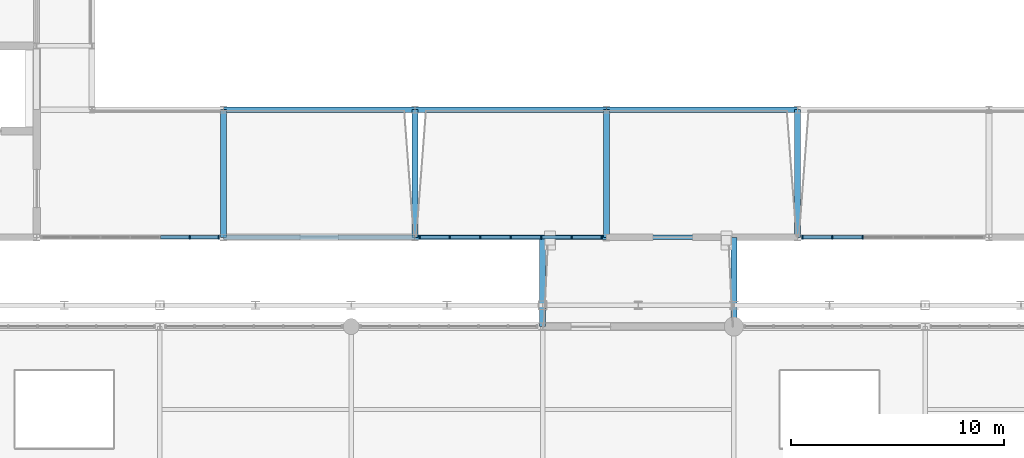
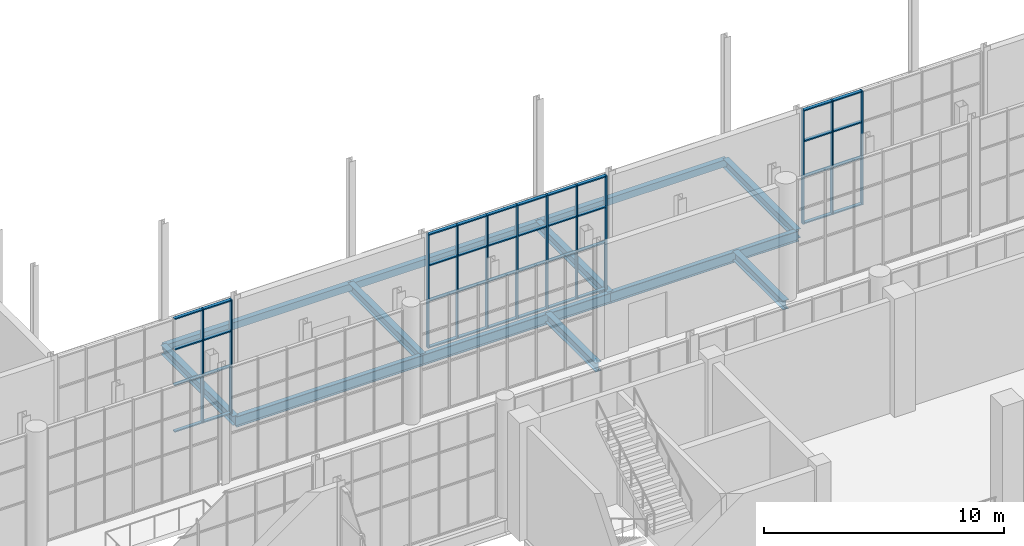
# One storey, part 60 of 159: 52 members, 12 beams, 3 elements without a shape of their own.
"""IFC4 building model written with IfcOpenShell, lengths in metres."""

import ifcopenshell
import ifcopenshell.guid

model = None  # the IFC model being written
_history = None  # IfcOwnerHistory: only IFC2X3 demands one
_inside = {}  # id of a spatial element -> (the spatial element, [elements in it])
_under = {}  # id of a project, library or spatial element -> (it, [spatial elements below it])
_declared = {}  # id of a project -> (the project, [libraries it declares])
_typed = {}  # id of a type object -> (the type object, [elements of that type])
_made_of = {}  # id of a material, layer set ... -> (it, [elements and type objects made of it])


def new_model(schema):
    """Start an empty IFC model of exactly this schema.

    Asked for "IFC4X3", IfcOpenShell would pick the latest addendum, in which some entities
    have other attributes; the version numbers below select the first issue.
    IFC2X3 requires an IfcOwnerHistory on every rooted entity: one is made here for all.
    """
    global model, _history
    if schema == "IFC4X3":
        model = ifcopenshell.file(schema_version=(4, 3, 0, 0))
    else:
        model = ifcopenshell.file(schema=schema)
    _inside.clear()
    _under.clear()
    _declared.clear()
    _typed.clear()
    _made_of.clear()
    _history = None
    if model.schema == "IFC2X3":
        org = make("IfcOrganization", Name="unknown")
        user = make(
            "IfcPersonAndOrganization",
            ThePerson=make("IfcPerson", FamilyName="unknown"),
            TheOrganization=org,
        )
        app = make(
            "IfcApplication",
            ApplicationDeveloper=org,
            Version="unknown",
            ApplicationFullName="unknown",
            ApplicationIdentifier="unknown",
        )
        _history = make(
            "IfcOwnerHistory",
            OwningUser=user,
            OwningApplication=app,
            ChangeAction="ADDED",
            CreationDate=0,
        )
    return model


def make(cls, **values):
    """One entity of the class cls with the attributes given. An attribute that is None is left unset."""
    return model.create_entity(
        cls, **{name: value for name, value in values.items() if value is not None}
    )


def rooted(cls, **values):
    """An entity with a GlobalId (a new one), such as an element, a storey or a relation."""
    return make(cls, GlobalId=ifcopenshell.guid.new(), OwnerHistory=_history, **values)


def si_unit(unit_type, name, prefix=None):
    """IfcSIUnit, for example si_unit("LENGTHUNIT", "METRE", prefix="MILLI")."""
    return make("IfcSIUnit", UnitType=unit_type, Prefix=prefix, Name=name)


def assignment(units):
    """IfcUnitAssignment: the units of a project."""
    return None if units is None else make("IfcUnitAssignment", Units=units)


def point(xyz):
    """IfcCartesianPoint."""
    return None if xyz is None else make("IfcCartesianPoint", Coordinates=xyz)


def direction(xyz):
    """IfcDirection."""
    return None if xyz is None else make("IfcDirection", DirectionRatios=xyz)


def frame(location, z_axis=None, x_axis=None):
    """IfcAxis2Placement3D, a coordinate frame: its origin and axes. An axis left out is left unset."""
    return make(
        "IfcAxis2Placement3D",
        Location=point(location),
        Axis=direction(z_axis),
        RefDirection=direction(x_axis),
    )


def frame_2d(location, x_axis=None):
    """IfcAxis2Placement2D, a coordinate frame in the plane: its origin and x axis."""
    return make(
        "IfcAxis2Placement2D", Location=point(location), RefDirection=direction(x_axis)
    )


def origin():
    """The frame at (0, 0, 0) with its axes left unset."""
    return frame((0.0, 0.0, 0.0))


def origin_2d():
    """The frame at (0, 0) in the plane with its x axis left unset."""
    return frame_2d((0.0, 0.0))


def place(relative_to, where):
    """IfcLocalPlacement: puts the frame where relative to a parent placement (None: the world)."""
    return make(
        "IfcLocalPlacement", PlacementRelTo=relative_to, RelativePlacement=where
    )


def context(
    kind, dimensions, precision=None, world=None, true_north=None, identifier=None
):
    """IfcGeometricRepresentationContext, for example the 3D "Model" context."""
    return make(
        "IfcGeometricRepresentationContext",
        ContextIdentifier=identifier,
        ContextType=kind,
        CoordinateSpaceDimension=dimensions,
        Precision=precision,
        WorldCoordinateSystem=world,
        TrueNorth=true_north,
    )


def subcontext(parent, identifier, kind, view, scale=None):
    """IfcGeometricRepresentationSubContext, for example "Body" below "Model"."""
    return make(
        "IfcGeometricRepresentationSubContext",
        ContextIdentifier=identifier,
        ContextType=kind,
        ParentContext=parent,
        TargetScale=scale,
        TargetView=view,
    )


def project(units=None, contexts=None):
    """IfcProject with its units and contexts."""
    return rooted(
        "IfcProject",
        Name="project",
        RepresentationContexts=contexts,
        UnitsInContext=assignment(units),
    )


def spatial(cls, under=None, at=None, **own):
    """A site, building, storey or space (cls), placed at a placement, below another one or the project."""
    s = rooted(cls, ObjectPlacement=at, **own)
    if under is not None:
        _under.setdefault(under.id(), (under, []))[1].append(s)
    return s


def profile(cls, at=None, kind="AREA", **sizes):
    """A parametric profile (cls). Its sizes go by their IFC names, for example OverallWidth=200.0."""
    return make(cls, ProfileType=kind, Position=at, **sizes)


def rectangle(**sizes):
    """IfcRectangleProfileDef."""
    return profile("IfcRectangleProfileDef", **sizes)


def hollow_rectangle(**sizes):
    """IfcRectangleHollowProfileDef."""
    return profile("IfcRectangleHollowProfileDef", **sizes)


def i_section(**sizes):
    """IfcIShapeProfileDef."""
    return profile("IfcIShapeProfileDef", **sizes)


def extrude(swept, where, along, depth):
    """IfcExtrudedAreaSolid: the profile swept, set in the frame where, extruded along a direction by depth."""
    return make(
        "IfcExtrudedAreaSolid",
        SweptArea=swept,
        Position=where,
        ExtrudedDirection=direction(along),
        Depth=depth,
    )


def shape(context_of_items, identifier, shape_type, items):
    """IfcShapeRepresentation: the items that make up one representation, for example the "Body"."""
    return make(
        "IfcShapeRepresentation",
        ContextOfItems=context_of_items,
        RepresentationIdentifier=identifier,
        RepresentationType=shape_type,
        Items=items,
    )


def material(Name=None, Category=None):
    """IfcMaterial."""
    return make("IfcMaterial", Name=Name, Category=Category)


def layer(
    of_material, thickness, ventilated=None, Name=None, Category=None, Priority=None
):
    """IfcMaterialLayer: one layer of a wall or slab, of a material (None: an air gap)."""
    return make(
        "IfcMaterialLayer",
        Material=of_material,
        LayerThickness=thickness,
        IsVentilated=ventilated,
        Name=Name,
        Category=Category,
        Priority=Priority,
    )


def layer_set(layers, Name=None):
    """IfcMaterialLayerSet."""
    return make("IfcMaterialLayerSet", MaterialLayers=layers, LayerSetName=Name)


def material_profile(
    of_material, cross_section, Name=None, Category=None, Priority=None
):
    """IfcMaterialProfile: a cross section and its material."""
    return make(
        "IfcMaterialProfile",
        Name=Name,
        Material=of_material,
        Profile=cross_section,
        Priority=Priority,
        Category=Category,
    )


def profile_set(profiles, Name=None, composite=None):
    """IfcMaterialProfileSet."""
    return make(
        "IfcMaterialProfileSet",
        Name=Name,
        MaterialProfiles=profiles,
        CompositeProfile=composite,
    )


def made_of(thing, what):
    """Note that an element or type object is made of a material, layer set ...; save() writes the relation."""
    if what is not None:
        _made_of.setdefault(what.id(), (what, []))[1].append(thing)
    return thing


def type_object(cls, material=None, **own):
    """A type object (cls), such as IfcWallType, which elements share."""
    return made_of(rooted(cls, **own), material)


def element(
    cls,
    number,
    at=None,
    inside=None,
    cuts=None,
    type_object=None,
    material=None,
    context=None,
    identifier="Body",
    shape_type=None,
    held_by="IfcProductDefinitionShape",
    body=None,
    shapes=None,
    **own,
):
    """One element of the class cls, such as IfcWall. Its Tag is "e" and its number.

    at: its placement. inside: the storey or other place that contains it. cuts: it is an
    opening in that element (IfcRelVoidsElement). A single representation is given by context,
    identifier, shape_type and body (its items); several are given by shapes. held_by: the class
    of the entity that holds the representations. save() writes the other relations.
    """
    e = rooted(cls, Tag="e%d" % number, ObjectPlacement=at, **own)
    if body is not None:
        shapes = [shape(context, identifier, shape_type, body)]
    if shapes is not None:
        e.Representation = make(held_by, Representations=shapes)
    if inside is not None:
        _inside.setdefault(inside.id(), (inside, []))[1].append(e)
    if cuts is not None:
        rooted(
            "IfcRelVoidsElement", RelatingBuildingElement=cuts, RelatedOpeningElement=e
        )
    if type_object is not None:
        _typed.setdefault(type_object.id(), (type_object, []))[1].append(e)
    return made_of(e, material)


def aggregate(whole, parts):
    """IfcRelAggregates: a whole, such as a stair, and the parts it consists of."""
    return rooted("IfcRelAggregates", RelatingObject=whole, RelatedObjects=parts)


def save(model, path):
    """Write the relations noted so far, then the file.

    IfcRelAggregates (storeys below a building ...), IfcRelContainedInSpatialStructure (elements
    in a storey), IfcRelDefinesByType, IfcRelAssociatesMaterial and IfcRelDeclares: one each for
    every whole, place, type object, material and project.
    """
    for whole, parts in _under.values():
        aggregate(whole, parts)
    for where, things in _inside.values():
        rooted(
            "IfcRelContainedInSpatialStructure",
            RelatedElements=things,
            RelatingStructure=where,
        )
    for kind, things in _typed.values():
        rooted("IfcRelDefinesByType", RelatedObjects=things, RelatingType=kind)
    for what, things in _made_of.values():
        rooted("IfcRelAssociatesMaterial", RelatedObjects=things, RelatingMaterial=what)
    for by, libraries in _declared.values():
        rooted("IfcRelDeclares", RelatingContext=by, RelatedDefinitions=libraries)
    model.write(path)


model = new_model("IFC4")

# Units and contexts
model_context = context("Model", 3, precision=1e-05, world=origin(), true_north=direction((0.0, 1.0)))
body_context = subcontext(model_context, "Body", "Model", "MODEL_VIEW")
ifc_project = project(units=[si_unit("LENGTHUNIT", "METRE"), si_unit("AREAUNIT", "SQUARE_METRE"), si_unit("VOLUMEUNIT", "CUBIC_METRE"), si_unit("PLANEANGLEUNIT", "RADIAN"), si_unit("MASSUNIT", "GRAM", prefix="KILO")], contexts=[model_context])

# Site, building, storey
site_placement = place(None, origin())
site = spatial("IfcSite", under=ifc_project, at=site_placement, CompositionType="ELEMENT")
building_placement = place(site_placement, origin())
building = spatial("IfcBuilding", under=site, at=building_placement, Name="Cazmaro Siding Exhibition Halls", CompositionType="ELEMENT")
storey_placement = place(building_placement, frame((0.0, 0.0, 6.0)))
storey = spatial("IfcBuildingStorey", under=building, at=storey_placement, Name="L01", CompositionType="ELEMENT", Elevation=6.0)

# Beams
ifc_material_1 = material(Name="Steel ASTM A992 Grade 50", Category="steel")
ifc_material_profile_1 = material_profile(ifc_material_1, i_section(OverallWidth=0.2099609375, OverallDepth=0.535888671875, WebThickness=0.010986328125, FlangeThickness=0.01708984375, at=origin_2d()), Name="W21X68")
ifc_profile_set_1 = profile_set([ifc_material_profile_1], Name="Steel ASTM A992 Grade 50")
beam_type_1 = type_object("IfcBeamType", Name="B-02", PredefinedType="BEAM", material=ifc_profile_set_1)
for number, where, z_axis, x_axis, name in (
    (1, (66.0, 67.199951171875, -0.488037109375), (1.0, 0.0, 0.0), (0.0, 1.0, 0.0), "Beam B-02 BM-0316"),
    (2, (75.0, 67.199951171875, -0.488037109375), (1.0, 0.0, 0.0), (0.0, 1.0, 0.0), "Beam B-02 BM-0318"),
    (3, (84.0, 67.199951171875, -0.488037109375), (1.0, 0.0, 0.0), (0.0, 1.0, 0.0), "Beam B-02 BM-0320"),
):
    element("IfcBeam", number, at=place(storey_placement, frame(where, z_axis=z_axis, x_axis=x_axis)), inside=storey, type_object=beam_type_1, Name=name, PredefinedType="BEAM", context=body_context, shape_type="SweptSolid", body=[
        extrude(i_section(OverallWidth=0.2099609375, OverallDepth=0.535888671875, WebThickness=0.010986328125, FlangeThickness=0.01708984375, at=origin_2d()), origin(), (0.0, 0.0, 1.0), 9.0),
    ])
ifc_material_2 = material(Name="Steel ASTM A992 Grade 50", Category="steel")
ifc_material_profile_2 = material_profile(ifc_material_2, i_section(OverallWidth=0.279052734375, OverallDepth=0.4619140625, WebThickness=0.010986328125, FlangeThickness=0.01708984375, at=origin_2d()), Name="W18X76")
ifc_profile_set_2 = profile_set([ifc_material_profile_2], Name="Steel ASTM A992 Grade 50")
beam_type_2 = type_object("IfcBeamType", Name="B-03", PredefinedType="BEAM", material=ifc_profile_set_2)
for number, where, z_axis, x_axis, name in (
    (4, (66.0, 67.199951171875, -0.450927734375), (0.0, 1.0, 0.0), (-1.0, 0.0, 0.0), "Beam B-03 BM-0337"),
    (5, (75.0, 67.199951171875, -0.450927734375), (0.0, 1.0, 0.0), (-1.0, 0.0, 0.0), "Beam B-03 BM-0338"),
    (6, (84.0, 67.199951171875, -0.450927734375), (0.0, 1.0, 0.0), (-1.0, 0.0, 0.0), "Beam B-03 BM-0339"),
    (7, (93.0, 67.199951171875, -0.450927734375), (0.0, 1.0, 0.0), (-1.0, 0.0, 0.0), "Beam B-03 BM-0340"),
):
    element("IfcBeam", number, at=place(storey_placement, frame(where, z_axis=z_axis, x_axis=x_axis)), inside=storey, type_object=beam_type_2, Name=name, PredefinedType="BEAM", context=body_context, shape_type="SweptSolid", body=[
        extrude(i_section(OverallWidth=0.279052734375, OverallDepth=0.4619140625, WebThickness=0.010986328125, FlangeThickness=0.01708984375, at=origin_2d()), origin(), (0.0, 0.0, 1.0), 6.0),
    ])
for number, where, z_axis, x_axis, name in (
    (8, (81.0, 63.0, -0.450927734375), (0.0, 1.0, 0.0), (-1.0, 0.0, 0.0), "Beam B-03 BM-2518"),
    (9, (90.0, 63.0, -0.450927734375), (0.0, 1.0, 0.0), (-1.0, 0.0, 0.0), "Beam B-03 BM-2519"),
):
    element("IfcBeam", number, at=place(storey_placement, frame(where, z_axis=z_axis, x_axis=x_axis)), inside=storey, type_object=beam_type_2, Name=name, PredefinedType="BEAM", context=body_context, shape_type="SweptSolid", body=[
        extrude(i_section(OverallWidth=0.279052734375, OverallDepth=0.4619140625, WebThickness=0.010986328125, FlangeThickness=0.01708984375, at=origin_2d()), origin(), (0.0, 0.0, 1.0), 4.199951171875),
    ])
ifc_material_3 = material(Name="Steel ASTM A500 Grade C", Category="steel")
ifc_material_profile_3 = material_profile(ifc_material_3, hollow_rectangle(XDim=0.25390625, YDim=0.35595703125, WallThickness=0.014892578125, at=origin_2d()), Name="HSS14X10X5/8")
ifc_profile_set_3 = profile_set([ifc_material_profile_3], Name="Steel ASTM A500 Grade C")
beam_type_3 = type_object("IfcBeamType", Name="B-06", PredefinedType="BEAM", material=ifc_profile_set_3)
for number, where, z_axis, x_axis, name in (
    (10, (66.0, 73.199951171875, -0.39794921875), (1.0, 0.0, 0.0), (0.0, 1.0, 0.0), "Beam B-06 BM-0317"),
    (11, (75.0, 73.199951171875, -0.39794921875), (1.0, 0.0, 0.0), (0.0, 1.0, 0.0), "Beam B-06 BM-0319"),
    (12, (84.0, 73.199951171875, -0.39794921875), (1.0, 0.0, 0.0), (0.0, 1.0, 0.0), "Beam B-06 BM-0321"),
):
    element("IfcBeam", number, at=place(storey_placement, frame(where, z_axis=z_axis, x_axis=x_axis)), inside=storey, type_object=beam_type_3, Name=name, PredefinedType="BEAM", context=body_context, shape_type="SweptSolid", body=[
        extrude(hollow_rectangle(XDim=0.25390625, YDim=0.35595703125, WallThickness=0.014892578125, at=origin_2d()), origin(), (0.0, 0.0, 1.0), 9.0),
    ])

# Curtain wall, members
ifc_material_4 = material(Name="Anodized Bronze Aluminum and Solar-Control Low-E Glazing", Category="aluminium")
ifc_layer = layer(ifc_material_4, 0.179931640625)
ifc_layer_set = layer_set([ifc_layer], Name="Anodized Bronze Aluminum and Solar-Control Low-E Glazing")
curtain_wall_type = type_object("IfcCurtainWallType", Name="CWS-01", PredefinedType="USERDEFINED", material=ifc_layer_set)
curtain_wall_1_placement = place(storey_placement, origin())
curtain_wall_1 = element("IfcCurtainWall", 13, at=curtain_wall_1_placement, inside=storey, type_object=curtain_wall_type, Name="Glazed Curtain Wall CWS-01 CW-004", ObjectType="GLAZED CURTAIN WALL", PredefinedType="USERDEFINED")
ifc_material_5 = material(Name="Anodized Bronze Extruded Aluminum", Category="aluminium")
ifc_material_profile_4 = material_profile(ifc_material_5, rectangle(XDim=0.179931640625, YDim=0.06005859375, at=origin_2d()), Name="CWM-01")
ifc_profile_set_4 = profile_set([ifc_material_profile_4], Name="Anodized Bronze Extruded Aluminum")
member_type_1 = type_object("IfcMemberType", Name="CWM-01", PredefinedType="MULLION", material=ifc_profile_set_4)
member_1_placement = place(storey_placement, frame((64.402099609375, 67.199951171875, 0.0), z_axis=(0.0, 0.0, 1.0), x_axis=(0.0, 1.0, 0.0)))
member_1 = element("IfcMember", 14, at=member_1_placement, type_object=member_type_1, Name="CWS-01 mullion 6", PredefinedType="MULLION", context=body_context, shape_type="SweptSolid", body=[
    extrude(rectangle(XDim=0.179931640625, YDim=0.06005859375, at=origin_2d()), origin(), (0.0, 0.0, 1.0), 5.780029296875),
])
member_2_placement = place(storey_placement, frame((65.77294921875, 67.199951171875, 0.0), z_axis=(0.0, 0.0, 1.0), x_axis=(0.0, 1.0, 0.0)))
member_2 = element("IfcMember", 15, at=member_2_placement, type_object=member_type_1, Name="CWS-01 mullion 7", PredefinedType="MULLION", context=body_context, shape_type="SweptSolid", body=[
    extrude(rectangle(XDim=0.179931640625, YDim=0.06005859375, at=origin_2d()), origin(), (0.0, 0.0, 1.0), 5.780029296875),
])

curtain_wall_2_placement = place(storey_placement, origin())
curtain_wall_2 = element("IfcCurtainWall", 16, at=curtain_wall_2_placement, inside=storey, type_object=curtain_wall_type, Name="Glazed Curtain Wall CWS-01 CW-012", ObjectType="GLAZED CURTAIN WALL", PredefinedType="USERDEFINED")
member_3_placement = place(storey_placement, frame((75.22705078125, 67.199951171875, 0.0), z_axis=(0.0, 0.0, 1.0), x_axis=(0.0, 1.0, 0.0)))
member_3 = element("IfcMember", 17, at=member_3_placement, type_object=member_type_1, Name="CWS-01 mullion 1", PredefinedType="MULLION", context=body_context, shape_type="SweptSolid", body=[
    extrude(rectangle(XDim=0.179931640625, YDim=0.06005859375, at=origin_2d()), origin(), (0.0, 0.0, 1.0), 5.780029296875),
])
member_4_placement = place(storey_placement, frame((76.63134765625, 67.199951171875, 0.0), z_axis=(0.0, 0.0, 1.0), x_axis=(0.0, 1.0, 0.0)))
member_4 = element("IfcMember", 18, at=member_4_placement, type_object=member_type_1, Name="CWS-01 mullion 2", PredefinedType="MULLION", context=body_context, shape_type="SweptSolid", body=[
    extrude(rectangle(XDim=0.179931640625, YDim=0.06005859375, at=origin_2d()), origin(), (0.0, 0.0, 1.0), 5.780029296875),
])
member_5_placement = place(storey_placement, frame((78.065673828125, 67.199951171875, 0.0), z_axis=(0.0, 0.0, 1.0), x_axis=(0.0, 1.0, 0.0)))
member_5 = element("IfcMember", 19, at=member_5_placement, type_object=member_type_1, Name="CWS-01 mullion 3", PredefinedType="MULLION", context=body_context, shape_type="SweptSolid", body=[
    extrude(rectangle(XDim=0.179931640625, YDim=0.06005859375, at=origin_2d()), origin(), (0.0, 0.0, 1.0), 5.780029296875),
])
member_6_placement = place(storey_placement, frame((79.5, 67.199951171875, 0.0), z_axis=(0.0, 0.0, 1.0), x_axis=(0.0, 1.0, 0.0)))
member_6 = element("IfcMember", 20, at=member_6_placement, type_object=member_type_1, Name="CWS-01 mullion 4", PredefinedType="MULLION", context=body_context, shape_type="SweptSolid", body=[
    extrude(rectangle(XDim=0.179931640625, YDim=0.06005859375, at=origin_2d()), origin(), (0.0, 0.0, 1.0), 5.780029296875),
])
member_7_placement = place(storey_placement, frame((80.934326171875, 67.199951171875, 0.0), z_axis=(0.0, 0.0, 1.0), x_axis=(0.0, 1.0, 0.0)))
member_7 = element("IfcMember", 21, at=member_7_placement, type_object=member_type_1, Name="CWS-01 mullion 5", PredefinedType="MULLION", context=body_context, shape_type="SweptSolid", body=[
    extrude(rectangle(XDim=0.179931640625, YDim=0.06005859375, at=origin_2d()), origin(), (0.0, 0.0, 1.0), 5.780029296875),
])
member_8_placement = place(storey_placement, frame((82.36865234375, 67.199951171875, 0.0), z_axis=(0.0, 0.0, 1.0), x_axis=(0.0, 1.0, 0.0)))
member_8 = element("IfcMember", 22, at=member_8_placement, type_object=member_type_1, Name="CWS-01 mullion 6", PredefinedType="MULLION", context=body_context, shape_type="SweptSolid", body=[
    extrude(rectangle(XDim=0.179931640625, YDim=0.06005859375, at=origin_2d()), origin(), (0.0, 0.0, 1.0), 5.780029296875),
])
member_9_placement = place(storey_placement, frame((83.77294921875, 67.199951171875, 0.0), z_axis=(0.0, 0.0, 1.0), x_axis=(0.0, 1.0, 0.0)))
member_9 = element("IfcMember", 23, at=member_9_placement, type_object=member_type_1, Name="CWS-01 mullion 7", PredefinedType="MULLION", context=body_context, shape_type="SweptSolid", body=[
    extrude(rectangle(XDim=0.179931640625, YDim=0.06005859375, at=origin_2d()), origin(), (0.0, 0.0, 1.0), 5.780029296875),
])

curtain_wall_3_placement = place(storey_placement, origin())
curtain_wall_3 = element("IfcCurtainWall", 24, at=curtain_wall_3_placement, inside=storey, type_object=curtain_wall_type, Name="Glazed Curtain Wall CWS-01 CW-020", ObjectType="GLAZED CURTAIN WALL", PredefinedType="USERDEFINED")
member_10_placement = place(storey_placement, frame((93.22705078125, 67.199951171875, 0.0), z_axis=(0.0, 0.0, 1.0), x_axis=(0.0, 1.0, 0.0)))
member_10 = element("IfcMember", 25, at=member_10_placement, type_object=member_type_1, Name="CWS-01 mullion 1", PredefinedType="MULLION", context=body_context, shape_type="SweptSolid", body=[
    extrude(rectangle(XDim=0.179931640625, YDim=0.06005859375, at=origin_2d()), origin(), (0.0, 0.0, 1.0), 5.780029296875),
])
member_11_placement = place(storey_placement, frame((94.63134765625, 67.199951171875, 0.0), z_axis=(0.0, 0.0, 1.0), x_axis=(0.0, 1.0, 0.0)))
member_11 = element("IfcMember", 26, at=member_11_placement, type_object=member_type_1, Name="CWS-01 mullion 2", PredefinedType="MULLION", context=body_context, shape_type="SweptSolid", body=[
    extrude(rectangle(XDim=0.179931640625, YDim=0.06005859375, at=origin_2d()), origin(), (0.0, 0.0, 1.0), 5.780029296875),
])
member_12_placement = place(storey_placement, frame((96.065673828125, 67.199951171875, 0.0), z_axis=(0.0, 0.0, 1.0), x_axis=(0.0, 1.0, 0.0)))
member_12 = element("IfcMember", 27, at=member_12_placement, type_object=member_type_1, Name="CWS-01 mullion 3", PredefinedType="MULLION", context=body_context, shape_type="SweptSolid", body=[
    extrude(rectangle(XDim=0.179931640625, YDim=0.06005859375, at=origin_2d()), origin(), (0.0, 0.0, 1.0), 5.780029296875),
])

# Member
ifc_material_6 = material(Name="Anodized Bronze Extruded Aluminum", Category="aluminium")
ifc_material_profile_5 = material_profile(ifc_material_6, rectangle(XDim=0.159912109375, YDim=0.06005859375, at=origin_2d()), Name="CWT-01")
ifc_profile_set_5 = profile_set([ifc_material_profile_5], Name="Anodized Bronze Extruded Aluminum")
member_type_2 = type_object("IfcMemberType", Name="CWT-01", PredefinedType="MULLION", material=ifc_profile_set_5)
member_13_placement = place(storey_placement, frame((63.031005859375, 67.199951171875, 0.030029296875), z_axis=(1.0, 0.0, 0.0), x_axis=(0.0, 1.0, 0.0)))
member_13 = element("IfcMember", 28, at=member_13_placement, type_object=member_type_2, Name="CWS-01 transom 5.1", ObjectType="TRANSOM", PredefinedType="USERDEFINED", context=body_context, shape_type="SweptSolid", body=[
    extrude(rectangle(XDim=0.159912109375, YDim=0.06005859375, at=origin_2d()), origin(), (0.0, 0.0, 1.0), 1.341064453125),
])

member_14_placement = place(storey_placement, frame((63.031005859375, 67.199951171875, 2.39990234375), z_axis=(1.0, 0.0, 0.0), x_axis=(0.0, 1.0, 0.0)))
member_14 = element("IfcMember", 29, at=member_14_placement, type_object=member_type_2, Name="CWS-01 transom 5.2", ObjectType="TRANSOM", PredefinedType="USERDEFINED", context=body_context, shape_type="SweptSolid", body=[
    extrude(rectangle(XDim=0.159912109375, YDim=0.06005859375, at=origin_2d()), origin(), (0.0, 0.0, 1.0), 1.341064453125),
])

member_15_placement = place(storey_placement, frame((63.031005859375, 67.199951171875, 4.199951171875), z_axis=(1.0, 0.0, 0.0), x_axis=(0.0, 1.0, 0.0)))
member_15 = element("IfcMember", 30, at=member_15_placement, type_object=member_type_2, Name="CWS-01 transom 5.3", ObjectType="TRANSOM", PredefinedType="USERDEFINED", context=body_context, shape_type="SweptSolid", body=[
    extrude(rectangle(XDim=0.159912109375, YDim=0.06005859375, at=origin_2d()), origin(), (0.0, 0.0, 1.0), 1.341064453125),
])

member_16_placement = place(storey_placement, frame((63.031005859375, 67.199951171875, 5.75), z_axis=(1.0, 0.0, 0.0), x_axis=(0.0, 1.0, 0.0)))
member_16 = element("IfcMember", 31, at=member_16_placement, type_object=member_type_2, Name="CWS-01 transom 5.4", ObjectType="TRANSOM", PredefinedType="USERDEFINED", context=body_context, shape_type="SweptSolid", body=[
    extrude(rectangle(XDim=0.159912109375, YDim=0.06005859375, at=origin_2d()), origin(), (0.0, 0.0, 1.0), 1.341064453125),
])

member_17_placement = place(storey_placement, frame((64.431884765625, 67.199951171875, 0.030029296875), z_axis=(1.0, 0.0, 0.0), x_axis=(0.0, 1.0, 0.0)))
member_17 = element("IfcMember", 32, at=member_17_placement, type_object=member_type_2, Name="CWS-01 transom 6.1", ObjectType="TRANSOM", PredefinedType="USERDEFINED", context=body_context, shape_type="SweptSolid", body=[
    extrude(rectangle(XDim=0.159912109375, YDim=0.06005859375, at=origin_2d()), origin(), (0.0, 0.0, 1.0), 1.31103515625),
])

member_18_placement = place(storey_placement, frame((64.431884765625, 67.199951171875, 2.39990234375), z_axis=(1.0, 0.0, 0.0), x_axis=(0.0, 1.0, 0.0)))
member_18 = element("IfcMember", 33, at=member_18_placement, type_object=member_type_2, Name="CWS-01 transom 6.2", ObjectType="TRANSOM", PredefinedType="USERDEFINED", context=body_context, shape_type="SweptSolid", body=[
    extrude(rectangle(XDim=0.159912109375, YDim=0.06005859375, at=origin_2d()), origin(), (0.0, 0.0, 1.0), 1.31103515625),
])

member_19_placement = place(storey_placement, frame((64.431884765625, 67.199951171875, 4.199951171875), z_axis=(1.0, 0.0, 0.0), x_axis=(0.0, 1.0, 0.0)))
member_19 = element("IfcMember", 34, at=member_19_placement, type_object=member_type_2, Name="CWS-01 transom 6.3", ObjectType="TRANSOM", PredefinedType="USERDEFINED", context=body_context, shape_type="SweptSolid", body=[
    extrude(rectangle(XDim=0.159912109375, YDim=0.06005859375, at=origin_2d()), origin(), (0.0, 0.0, 1.0), 1.31103515625),
])

member_20_placement = place(storey_placement, frame((64.431884765625, 67.199951171875, 5.75), z_axis=(1.0, 0.0, 0.0), x_axis=(0.0, 1.0, 0.0)))
member_20 = element("IfcMember", 35, at=member_20_placement, type_object=member_type_2, Name="CWS-01 transom 6.4", ObjectType="TRANSOM", PredefinedType="USERDEFINED", context=body_context, shape_type="SweptSolid", body=[
    extrude(rectangle(XDim=0.159912109375, YDim=0.06005859375, at=origin_2d()), origin(), (0.0, 0.0, 1.0), 1.31103515625),
])

aggregate(curtain_wall_1, [member_1, member_2, member_13, member_14, member_15, member_16, member_17, member_18, member_19, member_20])

member_21_placement = place(storey_placement, frame((75.257080078125, 67.199951171875, 0.030029296875), z_axis=(1.0, 0.0, 0.0), x_axis=(0.0, 1.0, 0.0)))
member_21 = element("IfcMember", 36, at=member_21_placement, type_object=member_type_2, Name="CWS-01 transom 1.1", ObjectType="TRANSOM", PredefinedType="USERDEFINED", context=body_context, shape_type="SweptSolid", body=[
    extrude(rectangle(XDim=0.159912109375, YDim=0.06005859375, at=origin_2d()), origin(), (0.0, 0.0, 1.0), 1.34423828125),
])

member_22_placement = place(storey_placement, frame((75.257080078125, 67.199951171875, 2.39990234375), z_axis=(1.0, 0.0, 0.0), x_axis=(0.0, 1.0, 0.0)))
member_22 = element("IfcMember", 37, at=member_22_placement, type_object=member_type_2, Name="CWS-01 transom 1.2", ObjectType="TRANSOM", PredefinedType="USERDEFINED", context=body_context, shape_type="SweptSolid", body=[
    extrude(rectangle(XDim=0.159912109375, YDim=0.06005859375, at=origin_2d()), origin(), (0.0, 0.0, 1.0), 1.34423828125),
])

member_23_placement = place(storey_placement, frame((75.257080078125, 67.199951171875, 4.199951171875), z_axis=(1.0, 0.0, 0.0), x_axis=(0.0, 1.0, 0.0)))
member_23 = element("IfcMember", 38, at=member_23_placement, type_object=member_type_2, Name="CWS-01 transom 1.3", ObjectType="TRANSOM", PredefinedType="USERDEFINED", context=body_context, shape_type="SweptSolid", body=[
    extrude(rectangle(XDim=0.159912109375, YDim=0.06005859375, at=origin_2d()), origin(), (0.0, 0.0, 1.0), 1.34423828125),
])

member_24_placement = place(storey_placement, frame((75.257080078125, 67.199951171875, 5.75), z_axis=(1.0, 0.0, 0.0), x_axis=(0.0, 1.0, 0.0)))
member_24 = element("IfcMember", 39, at=member_24_placement, type_object=member_type_2, Name="CWS-01 transom 1.4", ObjectType="TRANSOM", PredefinedType="USERDEFINED", context=body_context, shape_type="SweptSolid", body=[
    extrude(rectangle(XDim=0.159912109375, YDim=0.06005859375, at=origin_2d()), origin(), (0.0, 0.0, 1.0), 1.34423828125),
])

member_25_placement = place(storey_placement, frame((76.661376953125, 67.199951171875, 0.030029296875), z_axis=(1.0, 0.0, 0.0), x_axis=(0.0, 1.0, 0.0)))
member_25 = element("IfcMember", 40, at=member_25_placement, type_object=member_type_2, Name="CWS-01 transom 2.1", ObjectType="TRANSOM", PredefinedType="USERDEFINED", context=body_context, shape_type="SweptSolid", body=[
    extrude(rectangle(XDim=0.159912109375, YDim=0.06005859375, at=origin_2d()), origin(), (0.0, 0.0, 1.0), 1.374267578125),
])

member_26_placement = place(storey_placement, frame((76.661376953125, 67.199951171875, 2.39990234375), z_axis=(1.0, 0.0, 0.0), x_axis=(0.0, 1.0, 0.0)))
member_26 = element("IfcMember", 41, at=member_26_placement, type_object=member_type_2, Name="CWS-01 transom 2.2", ObjectType="TRANSOM", PredefinedType="USERDEFINED", context=body_context, shape_type="SweptSolid", body=[
    extrude(rectangle(XDim=0.159912109375, YDim=0.06005859375, at=origin_2d()), origin(), (0.0, 0.0, 1.0), 1.374267578125),
])

member_27_placement = place(storey_placement, frame((76.661376953125, 67.199951171875, 4.199951171875), z_axis=(1.0, 0.0, 0.0), x_axis=(0.0, 1.0, 0.0)))
member_27 = element("IfcMember", 42, at=member_27_placement, type_object=member_type_2, Name="CWS-01 transom 2.3", ObjectType="TRANSOM", PredefinedType="USERDEFINED", context=body_context, shape_type="SweptSolid", body=[
    extrude(rectangle(XDim=0.159912109375, YDim=0.06005859375, at=origin_2d()), origin(), (0.0, 0.0, 1.0), 1.374267578125),
])

member_28_placement = place(storey_placement, frame((76.661376953125, 67.199951171875, 5.75), z_axis=(1.0, 0.0, 0.0), x_axis=(0.0, 1.0, 0.0)))
member_28 = element("IfcMember", 43, at=member_28_placement, type_object=member_type_2, Name="CWS-01 transom 2.4", ObjectType="TRANSOM", PredefinedType="USERDEFINED", context=body_context, shape_type="SweptSolid", body=[
    extrude(rectangle(XDim=0.159912109375, YDim=0.06005859375, at=origin_2d()), origin(), (0.0, 0.0, 1.0), 1.374267578125),
])

member_29_placement = place(storey_placement, frame((78.095703125, 67.199951171875, 0.030029296875), z_axis=(1.0, 0.0, 0.0), x_axis=(0.0, 1.0, 0.0)))
member_29 = element("IfcMember", 44, at=member_29_placement, type_object=member_type_2, Name="CWS-01 transom 3.1", ObjectType="TRANSOM", PredefinedType="USERDEFINED", context=body_context, shape_type="SweptSolid", body=[
    extrude(rectangle(XDim=0.159912109375, YDim=0.06005859375, at=origin_2d()), origin(), (0.0, 0.0, 1.0), 1.374267578125),
])

member_30_placement = place(storey_placement, frame((78.095703125, 67.199951171875, 2.39990234375), z_axis=(1.0, 0.0, 0.0), x_axis=(0.0, 1.0, 0.0)))
member_30 = element("IfcMember", 45, at=member_30_placement, type_object=member_type_2, Name="CWS-01 transom 3.2", ObjectType="TRANSOM", PredefinedType="USERDEFINED", context=body_context, shape_type="SweptSolid", body=[
    extrude(rectangle(XDim=0.159912109375, YDim=0.06005859375, at=origin_2d()), origin(), (0.0, 0.0, 1.0), 1.374267578125),
])

member_31_placement = place(storey_placement, frame((78.095703125, 67.199951171875, 4.199951171875), z_axis=(1.0, 0.0, 0.0), x_axis=(0.0, 1.0, 0.0)))
member_31 = element("IfcMember", 46, at=member_31_placement, type_object=member_type_2, Name="CWS-01 transom 3.3", ObjectType="TRANSOM", PredefinedType="USERDEFINED", context=body_context, shape_type="SweptSolid", body=[
    extrude(rectangle(XDim=0.159912109375, YDim=0.06005859375, at=origin_2d()), origin(), (0.0, 0.0, 1.0), 1.374267578125),
])

member_32_placement = place(storey_placement, frame((78.095703125, 67.199951171875, 5.75), z_axis=(1.0, 0.0, 0.0), x_axis=(0.0, 1.0, 0.0)))
member_32 = element("IfcMember", 47, at=member_32_placement, type_object=member_type_2, Name="CWS-01 transom 3.4", ObjectType="TRANSOM", PredefinedType="USERDEFINED", context=body_context, shape_type="SweptSolid", body=[
    extrude(rectangle(XDim=0.159912109375, YDim=0.06005859375, at=origin_2d()), origin(), (0.0, 0.0, 1.0), 1.374267578125),
])

member_33_placement = place(storey_placement, frame((79.530029296875, 67.199951171875, 0.030029296875), z_axis=(1.0, 0.0, 0.0), x_axis=(0.0, 1.0, 0.0)))
member_33 = element("IfcMember", 48, at=member_33_placement, type_object=member_type_2, Name="CWS-01 transom 4.1", ObjectType="TRANSOM", PredefinedType="USERDEFINED", context=body_context, shape_type="SweptSolid", body=[
    extrude(rectangle(XDim=0.159912109375, YDim=0.06005859375, at=origin_2d()), origin(), (0.0, 0.0, 1.0), 1.374267578125),
])

member_34_placement = place(storey_placement, frame((79.530029296875, 67.199951171875, 2.39990234375), z_axis=(1.0, 0.0, 0.0), x_axis=(0.0, 1.0, 0.0)))
member_34 = element("IfcMember", 49, at=member_34_placement, type_object=member_type_2, Name="CWS-01 transom 4.2", ObjectType="TRANSOM", PredefinedType="USERDEFINED", context=body_context, shape_type="SweptSolid", body=[
    extrude(rectangle(XDim=0.159912109375, YDim=0.06005859375, at=origin_2d()), origin(), (0.0, 0.0, 1.0), 1.374267578125),
])

member_35_placement = place(storey_placement, frame((79.530029296875, 67.199951171875, 4.199951171875), z_axis=(1.0, 0.0, 0.0), x_axis=(0.0, 1.0, 0.0)))
member_35 = element("IfcMember", 50, at=member_35_placement, type_object=member_type_2, Name="CWS-01 transom 4.3", ObjectType="TRANSOM", PredefinedType="USERDEFINED", context=body_context, shape_type="SweptSolid", body=[
    extrude(rectangle(XDim=0.159912109375, YDim=0.06005859375, at=origin_2d()), origin(), (0.0, 0.0, 1.0), 1.374267578125),
])

member_36_placement = place(storey_placement, frame((79.530029296875, 67.199951171875, 5.75), z_axis=(1.0, 0.0, 0.0), x_axis=(0.0, 1.0, 0.0)))
member_36 = element("IfcMember", 51, at=member_36_placement, type_object=member_type_2, Name="CWS-01 transom 4.4", ObjectType="TRANSOM", PredefinedType="USERDEFINED", context=body_context, shape_type="SweptSolid", body=[
    extrude(rectangle(XDim=0.159912109375, YDim=0.06005859375, at=origin_2d()), origin(), (0.0, 0.0, 1.0), 1.374267578125),
])

member_37_placement = place(storey_placement, frame((80.96435546875, 67.199951171875, 0.030029296875), z_axis=(1.0, 0.0, 0.0), x_axis=(0.0, 1.0, 0.0)))
member_37 = element("IfcMember", 52, at=member_37_placement, type_object=member_type_2, Name="CWS-01 transom 5.1", ObjectType="TRANSOM", PredefinedType="USERDEFINED", context=body_context, shape_type="SweptSolid", body=[
    extrude(rectangle(XDim=0.159912109375, YDim=0.06005859375, at=origin_2d()), origin(), (0.0, 0.0, 1.0), 1.374267578125),
])

member_38_placement = place(storey_placement, frame((80.96435546875, 67.199951171875, 2.39990234375), z_axis=(1.0, 0.0, 0.0), x_axis=(0.0, 1.0, 0.0)))
member_38 = element("IfcMember", 53, at=member_38_placement, type_object=member_type_2, Name="CWS-01 transom 5.2", ObjectType="TRANSOM", PredefinedType="USERDEFINED", context=body_context, shape_type="SweptSolid", body=[
    extrude(rectangle(XDim=0.159912109375, YDim=0.06005859375, at=origin_2d()), origin(), (0.0, 0.0, 1.0), 1.374267578125),
])

member_39_placement = place(storey_placement, frame((80.96435546875, 67.199951171875, 4.199951171875), z_axis=(1.0, 0.0, 0.0), x_axis=(0.0, 1.0, 0.0)))
member_39 = element("IfcMember", 54, at=member_39_placement, type_object=member_type_2, Name="CWS-01 transom 5.3", ObjectType="TRANSOM", PredefinedType="USERDEFINED", context=body_context, shape_type="SweptSolid", body=[
    extrude(rectangle(XDim=0.159912109375, YDim=0.06005859375, at=origin_2d()), origin(), (0.0, 0.0, 1.0), 1.374267578125),
])

member_40_placement = place(storey_placement, frame((80.96435546875, 67.199951171875, 5.75), z_axis=(1.0, 0.0, 0.0), x_axis=(0.0, 1.0, 0.0)))
member_40 = element("IfcMember", 55, at=member_40_placement, type_object=member_type_2, Name="CWS-01 transom 5.4", ObjectType="TRANSOM", PredefinedType="USERDEFINED", context=body_context, shape_type="SweptSolid", body=[
    extrude(rectangle(XDim=0.159912109375, YDim=0.06005859375, at=origin_2d()), origin(), (0.0, 0.0, 1.0), 1.374267578125),
])

member_41_placement = place(storey_placement, frame((82.398681640625, 67.199951171875, 0.030029296875), z_axis=(1.0, 0.0, 0.0), x_axis=(0.0, 1.0, 0.0)))
member_41 = element("IfcMember", 56, at=member_41_placement, type_object=member_type_2, Name="CWS-01 transom 6.1", ObjectType="TRANSOM", PredefinedType="USERDEFINED", context=body_context, shape_type="SweptSolid", body=[
    extrude(rectangle(XDim=0.159912109375, YDim=0.06005859375, at=origin_2d()), origin(), (0.0, 0.0, 1.0), 1.34423828125),
])

member_42_placement = place(storey_placement, frame((82.398681640625, 67.199951171875, 2.39990234375), z_axis=(1.0, 0.0, 0.0), x_axis=(0.0, 1.0, 0.0)))
member_42 = element("IfcMember", 57, at=member_42_placement, type_object=member_type_2, Name="CWS-01 transom 6.2", ObjectType="TRANSOM", PredefinedType="USERDEFINED", context=body_context, shape_type="SweptSolid", body=[
    extrude(rectangle(XDim=0.159912109375, YDim=0.06005859375, at=origin_2d()), origin(), (0.0, 0.0, 1.0), 1.34423828125),
])

member_43_placement = place(storey_placement, frame((82.398681640625, 67.199951171875, 4.199951171875), z_axis=(1.0, 0.0, 0.0), x_axis=(0.0, 1.0, 0.0)))
member_43 = element("IfcMember", 58, at=member_43_placement, type_object=member_type_2, Name="CWS-01 transom 6.3", ObjectType="TRANSOM", PredefinedType="USERDEFINED", context=body_context, shape_type="SweptSolid", body=[
    extrude(rectangle(XDim=0.159912109375, YDim=0.06005859375, at=origin_2d()), origin(), (0.0, 0.0, 1.0), 1.34423828125),
])

member_44_placement = place(storey_placement, frame((82.398681640625, 67.199951171875, 5.75), z_axis=(1.0, 0.0, 0.0), x_axis=(0.0, 1.0, 0.0)))
member_44 = element("IfcMember", 59, at=member_44_placement, type_object=member_type_2, Name="CWS-01 transom 6.4", ObjectType="TRANSOM", PredefinedType="USERDEFINED", context=body_context, shape_type="SweptSolid", body=[
    extrude(rectangle(XDim=0.159912109375, YDim=0.06005859375, at=origin_2d()), origin(), (0.0, 0.0, 1.0), 1.34423828125),
])

aggregate(curtain_wall_2, [member_3, member_4, member_5, member_6, member_7, member_8, member_9, member_21, member_22, member_23, member_24, member_25, member_26, member_27, member_28, member_29, member_30, member_31, member_32, member_33, member_34, member_35, member_36, member_37, member_38, member_39, member_40, member_41, member_42, member_43, member_44])

member_45_placement = place(storey_placement, frame((93.257080078125, 67.199951171875, 0.030029296875), z_axis=(1.0, 0.0, 0.0), x_axis=(0.0, 1.0, 0.0)))
member_45 = element("IfcMember", 60, at=member_45_placement, type_object=member_type_2, Name="CWS-01 transom 1.1", ObjectType="TRANSOM", PredefinedType="USERDEFINED", context=body_context, shape_type="SweptSolid", body=[
    extrude(rectangle(XDim=0.159912109375, YDim=0.06005859375, at=origin_2d()), origin(), (0.0, 0.0, 1.0), 1.34423828125),
])

member_46_placement = place(storey_placement, frame((93.257080078125, 67.199951171875, 2.39990234375), z_axis=(1.0, 0.0, 0.0), x_axis=(0.0, 1.0, 0.0)))
member_46 = element("IfcMember", 61, at=member_46_placement, type_object=member_type_2, Name="CWS-01 transom 1.2", ObjectType="TRANSOM", PredefinedType="USERDEFINED", context=body_context, shape_type="SweptSolid", body=[
    extrude(rectangle(XDim=0.159912109375, YDim=0.06005859375, at=origin_2d()), origin(), (0.0, 0.0, 1.0), 1.34423828125),
])

member_47_placement = place(storey_placement, frame((93.257080078125, 67.199951171875, 4.199951171875), z_axis=(1.0, 0.0, 0.0), x_axis=(0.0, 1.0, 0.0)))
member_47 = element("IfcMember", 62, at=member_47_placement, type_object=member_type_2, Name="CWS-01 transom 1.3", ObjectType="TRANSOM", PredefinedType="USERDEFINED", context=body_context, shape_type="SweptSolid", body=[
    extrude(rectangle(XDim=0.159912109375, YDim=0.06005859375, at=origin_2d()), origin(), (0.0, 0.0, 1.0), 1.34423828125),
])

member_48_placement = place(storey_placement, frame((93.257080078125, 67.199951171875, 5.75), z_axis=(1.0, 0.0, 0.0), x_axis=(0.0, 1.0, 0.0)))
member_48 = element("IfcMember", 63, at=member_48_placement, type_object=member_type_2, Name="CWS-01 transom 1.4", ObjectType="TRANSOM", PredefinedType="USERDEFINED", context=body_context, shape_type="SweptSolid", body=[
    extrude(rectangle(XDim=0.159912109375, YDim=0.06005859375, at=origin_2d()), origin(), (0.0, 0.0, 1.0), 1.34423828125),
])

member_49_placement = place(storey_placement, frame((94.661376953125, 67.199951171875, 0.030029296875), z_axis=(1.0, 0.0, 0.0), x_axis=(0.0, 1.0, 0.0)))
member_49 = element("IfcMember", 64, at=member_49_placement, type_object=member_type_2, Name="CWS-01 transom 2.1", ObjectType="TRANSOM", PredefinedType="USERDEFINED", context=body_context, shape_type="SweptSolid", body=[
    extrude(rectangle(XDim=0.159912109375, YDim=0.06005859375, at=origin_2d()), origin(), (0.0, 0.0, 1.0), 1.374267578125),
])

member_50_placement = place(storey_placement, frame((94.661376953125, 67.199951171875, 2.39990234375), z_axis=(1.0, 0.0, 0.0), x_axis=(0.0, 1.0, 0.0)))
member_50 = element("IfcMember", 65, at=member_50_placement, type_object=member_type_2, Name="CWS-01 transom 2.2", ObjectType="TRANSOM", PredefinedType="USERDEFINED", context=body_context, shape_type="SweptSolid", body=[
    extrude(rectangle(XDim=0.159912109375, YDim=0.06005859375, at=origin_2d()), origin(), (0.0, 0.0, 1.0), 1.374267578125),
])

member_51_placement = place(storey_placement, frame((94.661376953125, 67.199951171875, 4.199951171875), z_axis=(1.0, 0.0, 0.0), x_axis=(0.0, 1.0, 0.0)))
member_51 = element("IfcMember", 66, at=member_51_placement, type_object=member_type_2, Name="CWS-01 transom 2.3", ObjectType="TRANSOM", PredefinedType="USERDEFINED", context=body_context, shape_type="SweptSolid", body=[
    extrude(rectangle(XDim=0.159912109375, YDim=0.06005859375, at=origin_2d()), origin(), (0.0, 0.0, 1.0), 1.374267578125),
])

member_52_placement = place(storey_placement, frame((94.661376953125, 67.199951171875, 5.75), z_axis=(1.0, 0.0, 0.0), x_axis=(0.0, 1.0, 0.0)))
member_52 = element("IfcMember", 67, at=member_52_placement, type_object=member_type_2, Name="CWS-01 transom 2.4", ObjectType="TRANSOM", PredefinedType="USERDEFINED", context=body_context, shape_type="SweptSolid", body=[
    extrude(rectangle(XDim=0.159912109375, YDim=0.06005859375, at=origin_2d()), origin(), (0.0, 0.0, 1.0), 1.374267578125),
])

aggregate(curtain_wall_3, [member_10, member_11, member_12, member_45, member_46, member_47, member_48, member_49, member_50, member_51, member_52])

save(model, "model.ifc")
